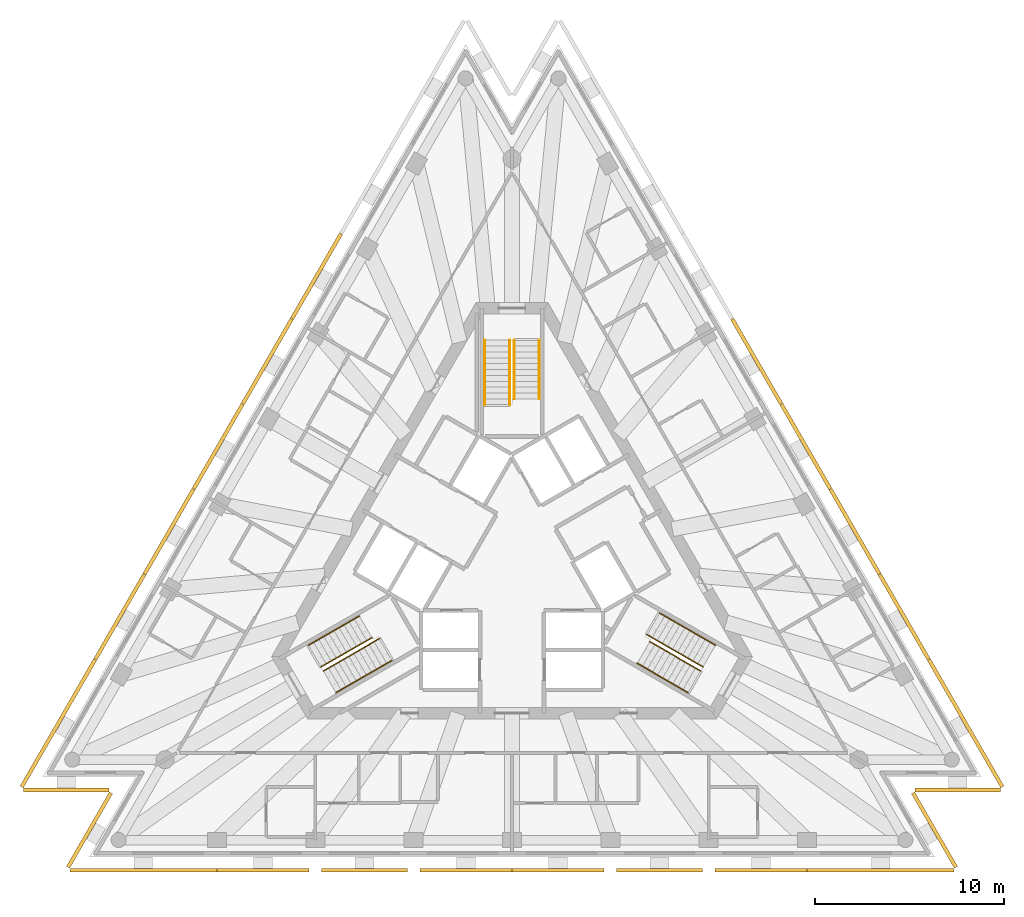
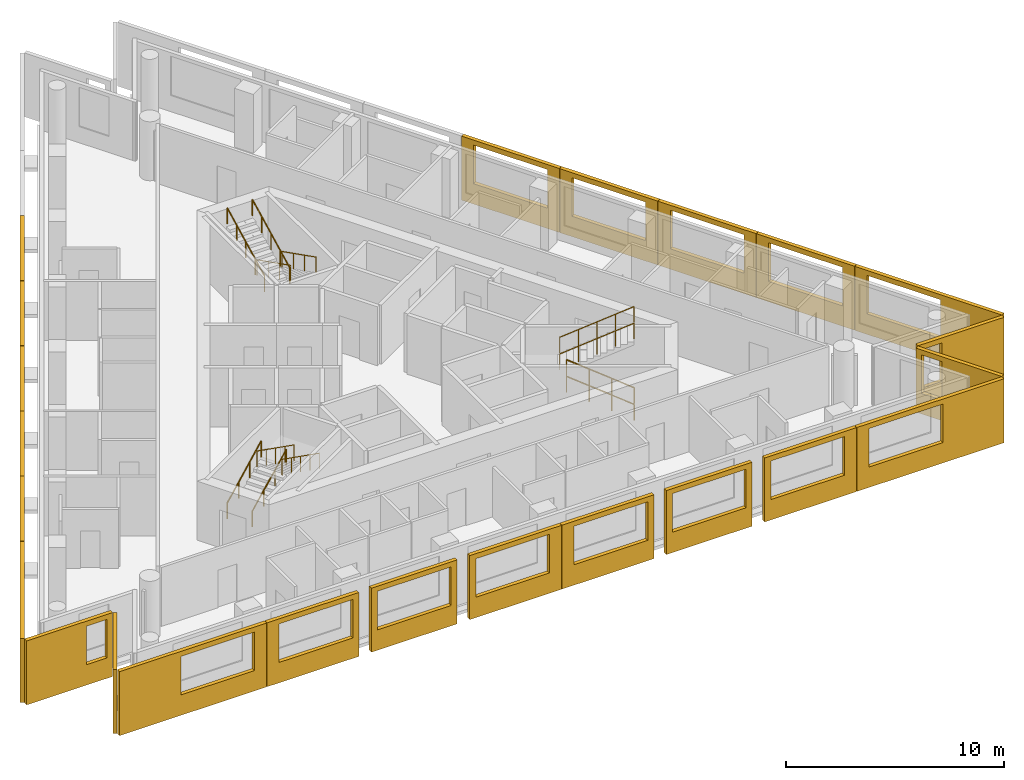
# One storey, part 9 of 10: 23 shading devices, 12 railings, 3 elements without a shape of their own.
"""IFC4 building model written with IfcOpenShell, lengths in metres."""

import ifcopenshell
import ifcopenshell.guid

model = None  # the IFC model being written
_history = None  # IfcOwnerHistory: only IFC2X3 demands one
_inside = {}  # id of a spatial element -> (the spatial element, [elements in it])
_under = {}  # id of a project, library or spatial element -> (it, [spatial elements below it])
_declared = {}  # id of a project -> (the project, [libraries it declares])
_typed = {}  # id of a type object -> (the type object, [elements of that type])
_made_of = {}  # id of a material, layer set ... -> (it, [elements and type objects made of it])


def new_model(schema):
    """Start an empty IFC model of exactly this schema.

    Asked for "IFC4X3", IfcOpenShell would pick the latest addendum, in which some entities
    have other attributes; the version numbers below select the first issue.
    IFC2X3 requires an IfcOwnerHistory on every rooted entity: one is made here for all.
    """
    global model, _history
    if schema == "IFC4X3":
        model = ifcopenshell.file(schema_version=(4, 3, 0, 0))
    else:
        model = ifcopenshell.file(schema=schema)
    _inside.clear()
    _under.clear()
    _declared.clear()
    _typed.clear()
    _made_of.clear()
    _history = None
    if model.schema == "IFC2X3":
        org = make("IfcOrganization", Name="unknown")
        user = make(
            "IfcPersonAndOrganization",
            ThePerson=make("IfcPerson", FamilyName="unknown"),
            TheOrganization=org,
        )
        app = make(
            "IfcApplication",
            ApplicationDeveloper=org,
            Version="unknown",
            ApplicationFullName="unknown",
            ApplicationIdentifier="unknown",
        )
        _history = make(
            "IfcOwnerHistory",
            OwningUser=user,
            OwningApplication=app,
            ChangeAction="ADDED",
            CreationDate=0,
        )
    return model


def make(cls, **values):
    """One entity of the class cls with the attributes given. An attribute that is None is left unset."""
    return model.create_entity(
        cls, **{name: value for name, value in values.items() if value is not None}
    )


def rooted(cls, **values):
    """An entity with a GlobalId (a new one), such as an element, a storey or a relation."""
    return make(cls, GlobalId=ifcopenshell.guid.new(), OwnerHistory=_history, **values)


def si_unit(unit_type, name, prefix=None):
    """IfcSIUnit, for example si_unit("LENGTHUNIT", "METRE", prefix="MILLI")."""
    return make("IfcSIUnit", UnitType=unit_type, Prefix=prefix, Name=name)


def assignment(units):
    """IfcUnitAssignment: the units of a project."""
    return None if units is None else make("IfcUnitAssignment", Units=units)


def point(xyz):
    """IfcCartesianPoint."""
    return None if xyz is None else make("IfcCartesianPoint", Coordinates=xyz)


def direction(xyz):
    """IfcDirection."""
    return None if xyz is None else make("IfcDirection", DirectionRatios=xyz)


def frame(location, z_axis=None, x_axis=None):
    """IfcAxis2Placement3D, a coordinate frame: its origin and axes. An axis left out is left unset."""
    return make(
        "IfcAxis2Placement3D",
        Location=point(location),
        Axis=direction(z_axis),
        RefDirection=direction(x_axis),
    )


def frame_2d(location, x_axis=None):
    """IfcAxis2Placement2D, a coordinate frame in the plane: its origin and x axis."""
    return make(
        "IfcAxis2Placement2D", Location=point(location), RefDirection=direction(x_axis)
    )


def origin():
    """The frame at (0, 0, 0) with its axes left unset."""
    return frame((0.0, 0.0, 0.0))


def origin_2d():
    """The frame at (0, 0) in the plane with its x axis left unset."""
    return frame_2d((0.0, 0.0))


def place(relative_to, where):
    """IfcLocalPlacement: puts the frame where relative to a parent placement (None: the world)."""
    return make(
        "IfcLocalPlacement", PlacementRelTo=relative_to, RelativePlacement=where
    )


def context(
    kind, dimensions, precision=None, world=None, true_north=None, identifier=None
):
    """IfcGeometricRepresentationContext, for example the 3D "Model" context."""
    return make(
        "IfcGeometricRepresentationContext",
        ContextIdentifier=identifier,
        ContextType=kind,
        CoordinateSpaceDimension=dimensions,
        Precision=precision,
        WorldCoordinateSystem=world,
        TrueNorth=true_north,
    )


def subcontext(parent, identifier, kind, view, scale=None):
    """IfcGeometricRepresentationSubContext, for example "Body" below "Model"."""
    return make(
        "IfcGeometricRepresentationSubContext",
        ContextIdentifier=identifier,
        ContextType=kind,
        ParentContext=parent,
        TargetScale=scale,
        TargetView=view,
    )


def project(units=None, contexts=None):
    """IfcProject with its units and contexts."""
    return rooted(
        "IfcProject",
        Name="project",
        RepresentationContexts=contexts,
        UnitsInContext=assignment(units),
    )


def spatial(cls, under=None, at=None, **own):
    """A site, building, storey or space (cls), placed at a placement, below another one or the project."""
    s = rooted(cls, ObjectPlacement=at, **own)
    if under is not None:
        _under.setdefault(under.id(), (under, []))[1].append(s)
    return s


def polyline(points):
    """IfcPolyline through the points."""
    return make("IfcPolyline", Points=[point(p) for p in points])


def profile(cls, at=None, kind="AREA", **sizes):
    """A parametric profile (cls). Its sizes go by their IFC names, for example OverallWidth=200.0."""
    return make(cls, ProfileType=kind, Position=at, **sizes)


def circle(**sizes):
    """IfcCircleProfileDef."""
    return profile("IfcCircleProfileDef", **sizes)


def outline(outer, holes=None, kind="AREA"):
    """IfcArbitraryClosedProfileDef: a profile drawn as a closed curve; with holes, ...WithVoids."""
    if holes is None:
        return make("IfcArbitraryClosedProfileDef", ProfileType=kind, OuterCurve=outer)
    return make(
        "IfcArbitraryProfileDefWithVoids",
        ProfileType=kind,
        OuterCurve=outer,
        InnerCurves=holes,
    )


def extrude(swept, where, along, depth):
    """IfcExtrudedAreaSolid: the profile swept, set in the frame where, extruded along a direction by depth."""
    return make(
        "IfcExtrudedAreaSolid",
        SweptArea=swept,
        Position=where,
        ExtrudedDirection=direction(along),
        Depth=depth,
    )


def shape(context_of_items, identifier, shape_type, items):
    """IfcShapeRepresentation: the items that make up one representation, for example the "Body"."""
    return make(
        "IfcShapeRepresentation",
        ContextOfItems=context_of_items,
        RepresentationIdentifier=identifier,
        RepresentationType=shape_type,
        Items=items,
    )


def material(Name=None, Category=None):
    """IfcMaterial."""
    return make("IfcMaterial", Name=Name, Category=Category)


def layer(
    of_material, thickness, ventilated=None, Name=None, Category=None, Priority=None
):
    """IfcMaterialLayer: one layer of a wall or slab, of a material (None: an air gap)."""
    return make(
        "IfcMaterialLayer",
        Material=of_material,
        LayerThickness=thickness,
        IsVentilated=ventilated,
        Name=Name,
        Category=Category,
        Priority=Priority,
    )


def layer_set(layers, Name=None):
    """IfcMaterialLayerSet."""
    return make("IfcMaterialLayerSet", MaterialLayers=layers, LayerSetName=Name)


def made_of(thing, what):
    """Note that an element or type object is made of a material, layer set ...; save() writes the relation."""
    if what is not None:
        _made_of.setdefault(what.id(), (what, []))[1].append(thing)
    return thing


def type_object(cls, material=None, **own):
    """A type object (cls), such as IfcWallType, which elements share."""
    return made_of(rooted(cls, **own), material)


def element(
    cls,
    number,
    at=None,
    inside=None,
    cuts=None,
    type_object=None,
    material=None,
    context=None,
    identifier="Body",
    shape_type=None,
    held_by="IfcProductDefinitionShape",
    body=None,
    shapes=None,
    **own,
):
    """One element of the class cls, such as IfcWall. Its Tag is "e" and its number.

    at: its placement. inside: the storey or other place that contains it. cuts: it is an
    opening in that element (IfcRelVoidsElement). A single representation is given by context,
    identifier, shape_type and body (its items); several are given by shapes. held_by: the class
    of the entity that holds the representations. save() writes the other relations.
    """
    e = rooted(cls, Tag="e%d" % number, ObjectPlacement=at, **own)
    if body is not None:
        shapes = [shape(context, identifier, shape_type, body)]
    if shapes is not None:
        e.Representation = make(held_by, Representations=shapes)
    if inside is not None:
        _inside.setdefault(inside.id(), (inside, []))[1].append(e)
    if cuts is not None:
        rooted(
            "IfcRelVoidsElement", RelatingBuildingElement=cuts, RelatedOpeningElement=e
        )
    if type_object is not None:
        _typed.setdefault(type_object.id(), (type_object, []))[1].append(e)
    return made_of(e, material)


def aggregate(whole, parts):
    """IfcRelAggregates: a whole, such as a stair, and the parts it consists of."""
    return rooted("IfcRelAggregates", RelatingObject=whole, RelatedObjects=parts)


def save(model, path):
    """Write the relations noted so far, then the file.

    IfcRelAggregates (storeys below a building ...), IfcRelContainedInSpatialStructure (elements
    in a storey), IfcRelDefinesByType, IfcRelAssociatesMaterial and IfcRelDeclares: one each for
    every whole, place, type object, material and project.
    """
    for whole, parts in _under.values():
        aggregate(whole, parts)
    for where, things in _inside.values():
        rooted(
            "IfcRelContainedInSpatialStructure",
            RelatedElements=things,
            RelatingStructure=where,
        )
    for kind, things in _typed.values():
        rooted("IfcRelDefinesByType", RelatedObjects=things, RelatingType=kind)
    for what, things in _made_of.values():
        rooted("IfcRelAssociatesMaterial", RelatedObjects=things, RelatingMaterial=what)
    for by, libraries in _declared.values():
        rooted("IfcRelDeclares", RelatingContext=by, RelatedDefinitions=libraries)
    model.write(path)


model = new_model("IFC4")

# Units and contexts
model_context = context("Model", 3, precision=1e-05, world=origin(), true_north=direction((0.0, 1.0)))
body_context = subcontext(model_context, "Body", "Model", "MODEL_VIEW")
ifc_project = project(units=[si_unit("LENGTHUNIT", "METRE"), si_unit("AREAUNIT", "SQUARE_METRE"), si_unit("VOLUMEUNIT", "CUBIC_METRE"), si_unit("PLANEANGLEUNIT", "RADIAN"), si_unit("MASSUNIT", "GRAM", prefix="KILO")], contexts=[model_context])

# Site, building, storey
site_placement = place(None, origin())
site = spatial("IfcSite", under=ifc_project, at=site_placement, CompositionType="ELEMENT")
building_placement = place(site_placement, origin())
building = spatial("IfcBuilding", under=site, at=building_placement, Name="Triada Interchange Tower", CompositionType="ELEMENT")
storey_placement = place(building_placement, frame((0.0, 0.0, 311.5)))
storey = spatial("IfcBuildingStorey", under=building, at=storey_placement, Name="L74", CompositionType="ELEMENT", Elevation=311.5)

# Shading devices
ifc_material_1 = material(Name="Concrete C50/60 precast", Category="concrete")
ifc_layer_1 = layer(ifc_material_1, 0.02001953125, Name="Exposed aggregate face")
ifc_layer_2 = layer(ifc_material_1, 0.179931640625, Name="Precast concrete screen")
ifc_layer_set = layer_set([ifc_layer_1, ifc_layer_2], Name="Outer skin screen panel 3580")
shading_device_type = type_object("IfcShadingDeviceType", Name="Outer skin screen panel 3580", PredefinedType="SHUTTER", material=ifc_layer_set)
shading_device_1_placement = place(storey_placement, frame((-8.968017578125, 17.19189453125, -0.2900390625), z_axis=(0.0, 0.0, 1.0), x_axis=(-0.500082331196, -0.865977864628, 0.0)))
element("IfcShadingDevice", 1, at=shading_device_1_placement, inside=storey, type_object=shading_device_type, Name="Outer skin screen panel L74 03", PredefinedType="SHUTTER", context=body_context, shape_type="SweptSolid", body=[
    extrude(outline(polyline([(0.0, 0.0), (5.187255859375, 0.0), (5.187255859375, 3.580078125), (0.0, 3.580078125), (0.0, 0.0)]), holes=[polyline([(0.64404296875, 1.139892578125), (0.64404296875, 3.300048828125), (4.5439453125, 3.300048828125), (4.5439453125, 1.139892578125), (0.64404296875, 1.139892578125)])]), frame((0.0, 0.0, 0.0), z_axis=(0.0, -1.0, 0.0), x_axis=(1.0, 0.0, 0.0)), (0.0, 0.0, 1.0), 0.199951171875),
])
shading_device_2_placement = place(storey_placement, frame((-11.572021484375, 12.681884765625, -0.2900390625), z_axis=(0.0, 0.0, 1.0), x_axis=(-0.500082331196, -0.865977864628, 0.0)))
element("IfcShadingDevice", 2, at=shading_device_2_placement, inside=storey, type_object=shading_device_type, Name="Outer skin screen panel L74 04", PredefinedType="SHUTTER", context=body_context, shape_type="SweptSolid", body=[
    extrude(outline(polyline([(0.0, 0.0), (5.187255859375, 0.0), (5.187255859375, 3.580078125), (0.0, 3.580078125), (0.0, 0.0)]), holes=[polyline([(0.643798828125, 1.139892578125), (0.643798828125, 3.300048828125), (4.543701171875, 3.300048828125), (4.543701171875, 1.139892578125), (0.643798828125, 1.139892578125)])]), frame((0.0, 0.0, 0.0), z_axis=(0.0, -1.0, 0.0), x_axis=(1.0, 0.0, 0.0)), (0.0, 0.0, 1.0), 0.199951171875),
])
shading_device_3_placement = place(storey_placement, frame((-14.176025390625, 8.173095703125, -0.2900390625), z_axis=(0.0, 0.0, 1.0), x_axis=(-0.499920746991, -0.866071155695, 0.0)))
element("IfcShadingDevice", 3, at=shading_device_3_placement, inside=storey, type_object=shading_device_type, Name="Outer skin screen panel L74 05", PredefinedType="SHUTTER", context=body_context, shape_type="SweptSolid", body=[
    extrude(outline(polyline([(0.0, 0.0), (5.186767578125, 0.0), (5.186767578125, 3.580078125), (0.0, 3.580078125), (0.0, 0.0)]), holes=[polyline([(0.6435546875, 1.139892578125), (0.6435546875, 3.300048828125), (4.54345703125, 3.300048828125), (4.54345703125, 1.139892578125), (0.6435546875, 1.139892578125)])]), frame((0.0, 0.0, 0.0), z_axis=(0.0, -1.0, 0.0), x_axis=(1.0, 0.0, 0.0)), (0.0, 0.0, 1.0), 0.199951171875),
])
shading_device_4_placement = place(storey_placement, frame((-16.779052734375, 3.6630859375, -0.2900390625), z_axis=(0.0, 0.0, 1.0), x_axis=(-0.500061949227, -0.865989634427, 0.0)))
element("IfcShadingDevice", 4, at=shading_device_4_placement, inside=storey, type_object=shading_device_type, Name="Outer skin screen panel L74 06", PredefinedType="SHUTTER", context=body_context, shape_type="SweptSolid", body=[
    extrude(outline(polyline([(0.0, 0.0), (5.187255859375, 0.0), (5.187255859375, 3.580078125), (0.0, 3.580078125), (0.0, 0.0)]), holes=[polyline([(0.643310546875, 1.139892578125), (0.643310546875, 3.300048828125), (4.543212890625, 3.300048828125), (4.543212890625, 1.139892578125), (0.643310546875, 1.139892578125)])]), frame((0.0, 0.0, 0.0), z_axis=(0.0, -1.0, 0.0), x_axis=(1.0, 0.0, 0.0)), (0.0, 0.0, 1.0), 0.199951171875),
])
shading_device_5_placement = place(storey_placement, frame((-19.383056640625, -0.845947265625, -0.2900390625), z_axis=(0.0, 0.0, 1.0), x_axis=(-0.499980435197, -0.866036699234, 0.0)))
element("IfcShadingDevice", 5, at=shading_device_5_placement, inside=storey, type_object=shading_device_type, Name="Outer skin screen panel L74 07", PredefinedType="SHUTTER", context=body_context, shape_type="SweptSolid", body=[
    extrude(outline(polyline([(0.0, 0.0), (5.188232421875, 0.0), (5.188232421875, 3.580078125), (0.0, 3.580078125), (0.0, 0.0)]), holes=[polyline([(0.643798828125, 1.139892578125), (0.643798828125, 3.300048828125), (4.5439453125, 3.300048828125), (4.5439453125, 1.139892578125), (0.643798828125, 1.139892578125)])]), frame((0.0, 0.0, 0.0), z_axis=(0.0, -1.0, 0.0), x_axis=(1.0, 0.0, 0.0)), (0.0, 0.0, 1.0), 0.199951171875),
])
shading_device_6_placement = place(storey_placement, frame((-21.987060546875, -5.35595703125, -0.2900390625), z_axis=(0.0, 0.0, 1.0), x_axis=(-0.499940544041, -0.866059727977, 0.0)))
element("IfcShadingDevice", 6, at=shading_device_6_placement, inside=storey, type_object=shading_device_type, Name="Outer skin screen panel L74 08", PredefinedType="SHUTTER", context=body_context, shape_type="SweptSolid", body=[
    extrude(outline(polyline([(0.0, 0.0), (7.78466796875, 0.0), (7.78466796875, 3.580078125), (0.0, 3.580078125), (0.0, 0.0)]), holes=[polyline([(0.643798828125, 1.139892578125), (0.643798828125, 3.300048828125), (4.543701171875, 3.300048828125), (4.543701171875, 1.139892578125), (0.643798828125, 1.139892578125)])]), frame((0.0, 0.0, 0.0), z_axis=(0.0, -1.0, 0.0), x_axis=(1.0, 0.0, 0.0)), (0.0, 0.0, 1.0), 0.199951171875),
])
shading_device_7_placement = place(storey_placement, frame((-25.8740234375, -12.10693359375, -0.2900390625), z_axis=(0.0, 0.0, 1.0), x_axis=(1.0, 0.0, 0.0)))
element("IfcShadingDevice", 7, at=shading_device_7_placement, inside=storey, type_object=shading_device_type, Name="Outer skin screen panel L74 09", PredefinedType="SHUTTER", context=body_context, shape_type="SweptSolid", body=[
    extrude(outline(polyline([(0.0, 0.0), (4.547119140625, 0.0), (4.547119140625, 3.580078125), (0.0, 3.580078125), (0.0, 0.0)]), holes=[polyline([(3.175048828125, 1.139892578125), (3.175048828125, 3.300048828125), (4.2470703125, 3.300048828125), (4.2470703125, 1.139892578125), (3.175048828125, 1.139892578125)])]), frame((0.0, 0.0, 0.0), z_axis=(0.0, -1.0, 0.0), x_axis=(1.0, 0.0, 0.0)), (0.0, 0.0, 1.0), 0.199951171875),
])
shading_device_8_placement = place(storey_placement, frame((-21.14794921875, -12.416015625, -0.2900390625), z_axis=(0.0, 0.0, 1.0), x_axis=(-0.500094224052, -0.865970996668, 0.0)))
element("IfcShadingDevice", 8, at=shading_device_8_placement, inside=storey, type_object=shading_device_type, Name="Outer skin screen panel L74 10", PredefinedType="SHUTTER", context=body_context, shape_type="SweptSolid", body=[
    extrude(outline(polyline([(0.0, 0.0), (4.54736328125, 0.0), (4.54736328125, 3.580078125), (0.0, 3.580078125), (0.0, 0.0)]), holes=[polyline([(0.300048828125, 1.139892578125), (0.300048828125, 3.300048828125), (1.258056640625, 3.300048828125), (1.258056640625, 1.139892578125), (0.300048828125, 1.139892578125)])]), frame((0.0, 0.0, 0.0), z_axis=(0.0, -1.0, 0.0), x_axis=(1.0, 0.0, 0.0)), (0.0, 0.0, 1.0), 0.199951171875),
])
shading_device_9_placement = place(storey_placement, frame((-23.4169921875, -16.363037109375, -0.2900390625), z_axis=(0.0, 0.0, 1.0), x_axis=(1.0, 0.0, 0.0)))
element("IfcShadingDevice", 9, at=shading_device_9_placement, inside=storey, type_object=shading_device_type, Name="Outer skin screen panel L74 11", PredefinedType="SHUTTER", context=body_context, shape_type="SweptSolid", body=[
    extrude(outline(polyline([(0.0, 0.0), (7.784912109375, 0.0), (7.784912109375, 3.580078125), (0.0, 3.580078125), (0.0, 0.0)]), holes=[polyline([(3.241943359375, 1.139892578125), (3.241943359375, 3.300048828125), (7.14208984375, 3.300048828125), (7.14208984375, 1.139892578125), (3.241943359375, 1.139892578125)])]), frame((0.0, 0.0, 0.0), z_axis=(0.0, -1.0, 0.0), x_axis=(1.0, 0.0, 0.0)), (0.0, 0.0, 1.0), 0.199951171875),
])
shading_device_10_placement = place(storey_placement, frame((-15.612060546875, -16.363037109375, -0.2900390625), z_axis=(0.0, 0.0, 1.0), x_axis=(1.0, 0.0, 0.0)))
element("IfcShadingDevice", 10, at=shading_device_10_placement, inside=storey, type_object=shading_device_type, Name="Outer skin screen panel L74 12", PredefinedType="SHUTTER", context=body_context, shape_type="SweptSolid", body=[
    extrude(outline(polyline([(0.0, 0.0), (4.864013671875, 0.0), (4.864013671875, 3.580078125), (0.0, 3.580078125), (0.0, 0.0)]), holes=[polyline([(0.643798828125, 1.139892578125), (0.643798828125, 3.300048828125), (4.543701171875, 3.300048828125), (4.543701171875, 1.139892578125), (0.643798828125, 1.139892578125)])]), frame((0.0, 0.0, 0.0), z_axis=(0.0, -1.0, 0.0), x_axis=(1.0, 0.0, 0.0)), (0.0, 0.0, 1.0), 0.199951171875),
])
shading_device_11_placement = place(storey_placement, frame((-10.080078125, -16.363037109375, -0.2900390625), z_axis=(0.0, 0.0, 1.0), x_axis=(1.0, 0.0, 0.0)))
element("IfcShadingDevice", 11, at=shading_device_11_placement, inside=storey, type_object=shading_device_type, Name="Outer skin screen panel L74 13", PredefinedType="SHUTTER", context=body_context, shape_type="SweptSolid", body=[
    extrude(outline(polyline([(0.0, 0.0), (4.5390625, 0.0), (4.5390625, 3.580078125), (0.0, 3.580078125), (0.0, 0.0)]), holes=[polyline([(0.319091796875, 1.139892578125), (0.319091796875, 3.300048828125), (4.218994140625, 3.300048828125), (4.218994140625, 1.139892578125), (0.319091796875, 1.139892578125)])]), frame((0.0, 0.0, 0.0), z_axis=(0.0, -1.0, 0.0), x_axis=(1.0, 0.0, 0.0)), (0.0, 0.0, 1.0), 0.199951171875),
])
shading_device_12_placement = place(storey_placement, frame((-4.873046875, -16.363037109375, -0.2900390625), z_axis=(0.0, 0.0, 1.0), x_axis=(1.0, 0.0, 0.0)))
element("IfcShadingDevice", 12, at=shading_device_12_placement, inside=storey, type_object=shading_device_type, Name="Outer skin screen panel L74 14", PredefinedType="SHUTTER", context=body_context, shape_type="SweptSolid", body=[
    extrude(outline(polyline([(0.0, 0.0), (4.863037109375, 0.0), (4.863037109375, 3.580078125), (0.0, 3.580078125), (0.0, 0.0)]), holes=[polyline([(0.319091796875, 1.139892578125), (0.319091796875, 3.300048828125), (4.218994140625, 3.300048828125), (4.218994140625, 1.139892578125), (0.319091796875, 1.139892578125)])]), frame((0.0, 0.0, 0.0), z_axis=(0.0, -1.0, 0.0), x_axis=(1.0, 0.0, 0.0)), (0.0, 0.0, 1.0), 0.199951171875),
])
shading_device_13_placement = place(storey_placement, frame((0.010009765625, -16.363037109375, -0.2900390625), z_axis=(0.0, 0.0, 1.0), x_axis=(1.0, 0.0, 0.0)))
element("IfcShadingDevice", 13, at=shading_device_13_placement, inside=storey, type_object=shading_device_type, Name="Outer skin screen panel L74 15", PredefinedType="SHUTTER", context=body_context, shape_type="SweptSolid", body=[
    extrude(outline(polyline([(0.0, 0.0), (4.863037109375, 0.0), (4.863037109375, 3.580078125), (0.0, 3.580078125), (0.0, 0.0)]), holes=[polyline([(0.64404296875, 1.139892578125), (0.64404296875, 3.300048828125), (4.5439453125, 3.300048828125), (4.5439453125, 1.139892578125), (0.64404296875, 1.139892578125)])]), frame((0.0, 0.0, 0.0), z_axis=(0.0, -1.0, 0.0), x_axis=(1.0, 0.0, 0.0)), (0.0, 0.0, 1.0), 0.199951171875),
])
shading_device_14_placement = place(storey_placement, frame((5.541015625, -16.363037109375, -0.2900390625), z_axis=(0.0, 0.0, 1.0), x_axis=(1.0, 0.0, 0.0)))
element("IfcShadingDevice", 14, at=shading_device_14_placement, inside=storey, type_object=shading_device_type, Name="Outer skin screen panel L74 16", PredefinedType="SHUTTER", context=body_context, shape_type="SweptSolid", body=[
    extrude(outline(polyline([(0.0, 0.0), (4.5390625, 0.0), (4.5390625, 3.580078125), (0.0, 3.580078125), (0.0, 0.0)]), holes=[polyline([(0.320068359375, 1.139892578125), (0.320068359375, 3.300048828125), (4.219970703125, 3.300048828125), (4.219970703125, 1.139892578125), (0.320068359375, 1.139892578125)])]), frame((0.0, 0.0, 0.0), z_axis=(0.0, -1.0, 0.0), x_axis=(1.0, 0.0, 0.0)), (0.0, 0.0, 1.0), 0.199951171875),
])
shading_device_15_placement = place(storey_placement, frame((10.748046875, -16.363037109375, -0.2900390625), z_axis=(0.0, 0.0, 1.0), x_axis=(1.0, 0.0, 0.0)))
element("IfcShadingDevice", 15, at=shading_device_15_placement, inside=storey, type_object=shading_device_type, Name="Outer skin screen panel L74 17", PredefinedType="SHUTTER", context=body_context, shape_type="SweptSolid", body=[
    extrude(outline(polyline([(0.0, 0.0), (4.864013671875, 0.0), (4.864013671875, 3.580078125), (0.0, 3.580078125), (0.0, 0.0)]), holes=[polyline([(0.320068359375, 1.139892578125), (0.320068359375, 3.300048828125), (4.219970703125, 3.300048828125), (4.219970703125, 1.139892578125), (0.320068359375, 1.139892578125)])]), frame((0.0, 0.0, 0.0), z_axis=(0.0, -1.0, 0.0), x_axis=(1.0, 0.0, 0.0)), (0.0, 0.0, 1.0), 0.199951171875),
])
shading_device_16_placement = place(storey_placement, frame((15.632080078125, -16.363037109375, -0.2900390625), z_axis=(0.0, 0.0, 1.0), x_axis=(1.0, 0.0, 0.0)))
element("IfcShadingDevice", 16, at=shading_device_16_placement, inside=storey, type_object=shading_device_type, Name="Outer skin screen panel L74 18", PredefinedType="SHUTTER", context=body_context, shape_type="SweptSolid", body=[
    extrude(outline(polyline([(0.0, 0.0), (7.784912109375, 0.0), (7.784912109375, 3.580078125), (0.0, 3.580078125), (0.0, 0.0)]), holes=[polyline([(0.643310546875, 1.139892578125), (0.643310546875, 3.300048828125), (4.543212890625, 3.300048828125), (4.543212890625, 1.139892578125), (0.643310546875, 1.139892578125)])]), frame((0.0, 0.0, 0.0), z_axis=(0.0, -1.0, 0.0), x_axis=(1.0, 0.0, 0.0)), (0.0, 0.0, 1.0), 0.199951171875),
])
shading_device_17_placement = place(storey_placement, frame((23.422119140625, -16.35400390625, -0.2900390625), z_axis=(0.0, 0.0, 1.0), x_axis=(-0.500094224052, 0.865970996668, 0.0)))
element("IfcShadingDevice", 17, at=shading_device_17_placement, inside=storey, type_object=shading_device_type, Name="Outer skin screen panel L74 19", PredefinedType="SHUTTER", context=body_context, shape_type="SweptSolid", body=[
    extrude(outline(polyline([(0.0, 0.0), (4.54736328125, 0.0), (4.54736328125, 3.580078125), (0.0, 3.580078125), (0.0, 0.0)]), holes=[polyline([(3.17529296875, 1.139892578125), (3.17529296875, 3.300048828125), (4.24755859375, 3.300048828125), (4.24755859375, 1.139892578125), (3.17529296875, 1.139892578125)])]), frame((0.0, 0.0, 0.0), z_axis=(0.0, -1.0, 0.0), x_axis=(1.0, 0.0, 0.0)), (0.0, 0.0, 1.0), 0.199951171875),
])
shading_device_18_placement = place(storey_placement, frame((21.326904296875, -12.10693359375, -0.2900390625), z_axis=(0.0, 0.0, 1.0), x_axis=(1.0, 0.0, 0.0)))
element("IfcShadingDevice", 18, at=shading_device_18_placement, inside=storey, type_object=shading_device_type, Name="Outer skin screen panel L74 20", PredefinedType="SHUTTER", context=body_context, shape_type="SweptSolid", body=[
    extrude(outline(polyline([(0.0, 0.0), (4.547119140625, 0.0), (4.547119140625, 3.580078125), (0.0, 3.580078125), (0.0, 0.0)]), holes=[polyline([(0.300048828125, 1.139892578125), (0.300048828125, 3.300048828125), (1.258056640625, 3.300048828125), (1.258056640625, 1.139892578125), (0.300048828125, 1.139892578125)])]), frame((0.0, 0.0, 0.0), z_axis=(0.0, -1.0, 0.0), x_axis=(1.0, 0.0, 0.0)), (0.0, 0.0, 1.0), 0.199951171875),
])
shading_device_19_placement = place(storey_placement, frame((25.87890625, -12.097900390625, -0.2900390625), z_axis=(0.0, 0.0, 1.0), x_axis=(-0.499940544041, 0.866059727977, 0.0)))
element("IfcShadingDevice", 19, at=shading_device_19_placement, inside=storey, type_object=shading_device_type, Name="Outer skin screen panel L74 21", PredefinedType="SHUTTER", context=body_context, shape_type="SweptSolid", body=[
    extrude(outline(polyline([(0.0, 0.0), (7.78466796875, 0.0), (7.78466796875, 3.580078125), (0.0, 3.580078125), (0.0, 0.0)]), holes=[polyline([(3.2412109375, 1.139892578125), (3.2412109375, 3.300048828125), (7.141357421875, 3.300048828125), (7.141357421875, 1.139892578125), (3.2412109375, 1.139892578125)])]), frame((0.0, 0.0, 0.0), z_axis=(0.0, -1.0, 0.0), x_axis=(1.0, 0.0, 0.0)), (0.0, 0.0, 1.0), 0.199951171875),
])
shading_device_20_placement = place(storey_placement, frame((21.97705078125, -5.339111328125, -0.2900390625), z_axis=(0.0, 0.0, 1.0), x_axis=(-0.499980435197, 0.866036699234, 0.0)))
element("IfcShadingDevice", 20, at=shading_device_20_placement, inside=storey, type_object=shading_device_type, Name="Outer skin screen panel L74 22", PredefinedType="SHUTTER", context=body_context, shape_type="SweptSolid", body=[
    extrude(outline(polyline([(0.0, 0.0), (5.188232421875, 0.0), (5.188232421875, 3.580078125), (0.0, 3.580078125), (0.0, 0.0)]), holes=[polyline([(0.64404296875, 1.139892578125), (0.64404296875, 3.300048828125), (4.5439453125, 3.300048828125), (4.5439453125, 1.139892578125), (0.64404296875, 1.139892578125)])]), frame((0.0, 0.0, 0.0), z_axis=(0.0, -1.0, 0.0), x_axis=(1.0, 0.0, 0.0)), (0.0, 0.0, 1.0), 0.199951171875),
])
shading_device_21_placement = place(storey_placement, frame((19.373046875, -0.8291015625, -0.2900390625), z_axis=(0.0, 0.0, 1.0), x_axis=(-0.500061949227, 0.865989634427, 0.0)))
element("IfcShadingDevice", 21, at=shading_device_21_placement, inside=storey, type_object=shading_device_type, Name="Outer skin screen panel L74 23", PredefinedType="SHUTTER", context=body_context, shape_type="SweptSolid", body=[
    extrude(outline(polyline([(0.0, 0.0), (5.187255859375, 0.0), (5.187255859375, 3.580078125), (0.0, 3.580078125), (0.0, 0.0)]), holes=[polyline([(0.643798828125, 1.139892578125), (0.643798828125, 3.300048828125), (4.543701171875, 3.300048828125), (4.543701171875, 1.139892578125), (0.643798828125, 1.139892578125)])]), frame((0.0, 0.0, 0.0), z_axis=(0.0, -1.0, 0.0), x_axis=(1.0, 0.0, 0.0)), (0.0, 0.0, 1.0), 0.199951171875),
])
shading_device_22_placement = place(storey_placement, frame((16.76904296875, 3.680908203125, -0.2900390625), z_axis=(0.0, 0.0, 1.0), x_axis=(-0.499920746991, 0.866071155695, 0.0)))
element("IfcShadingDevice", 22, at=shading_device_22_placement, inside=storey, type_object=shading_device_type, Name="Outer skin screen panel L74 24", PredefinedType="SHUTTER", context=body_context, shape_type="SweptSolid", body=[
    extrude(outline(polyline([(0.0, 0.0), (5.186767578125, 0.0), (5.186767578125, 3.580078125), (0.0, 3.580078125), (0.0, 0.0)]), holes=[polyline([(0.643310546875, 1.139892578125), (0.643310546875, 3.300048828125), (4.54345703125, 3.300048828125), (4.54345703125, 1.139892578125), (0.643310546875, 1.139892578125)])]), frame((0.0, 0.0, 0.0), z_axis=(0.0, -1.0, 0.0), x_axis=(1.0, 0.0, 0.0)), (0.0, 0.0, 1.0), 0.199951171875),
])
shading_device_23_placement = place(storey_placement, frame((14.166015625, 8.18994140625, -0.2900390625), z_axis=(0.0, 0.0, 1.0), x_axis=(-0.500082331196, 0.865977864628, 0.0)))
element("IfcShadingDevice", 23, at=shading_device_23_placement, inside=storey, type_object=shading_device_type, Name="Outer skin screen panel L74 25", PredefinedType="SHUTTER", context=body_context, shape_type="SweptSolid", body=[
    extrude(outline(polyline([(0.0, 0.0), (5.187255859375, 0.0), (5.187255859375, 3.580078125), (0.0, 3.580078125), (0.0, 0.0)]), holes=[polyline([(0.643310546875, 1.139892578125), (0.643310546875, 3.300048828125), (4.543212890625, 3.300048828125), (4.543212890625, 1.139892578125), (0.643310546875, 1.139892578125)])]), frame((0.0, 0.0, 0.0), z_axis=(0.0, -1.0, 0.0), x_axis=(1.0, 0.0, 0.0)), (0.0, 0.0, 1.0), 0.199951171875),
])

# Stair, railings
ifc_material_2 = material(Name="Concrete C35/45", Category="concrete")
stair_type = type_object("IfcStairType", Name="HALF TURN STAIR 1400", PredefinedType="HALF_TURN_STAIR", material=ifc_material_2)
stair_1_placement = place(storey_placement, origin())
stair_1 = element("IfcStair", 24, at=stair_1_placement, inside=storey, type_object=stair_type, Name="Exit stair S74-1", PredefinedType="HALF_TURN_STAIR")
ifc_material_3 = material(Name="Stainless steel 1.4301", Category="steel")
railing_type = type_object("IfcRailingType", Name="STAIR HANDRAIL 900", PredefinedType="HANDRAIL", material=ifc_material_3)
railing_1_placement = place(storey_placement, frame((1.449951171875, 11.60009765625, 0.156494140625)))
railing_1 = element("IfcRailing", 25, at=railing_1_placement, type_object=railing_type, Name="Handrail S74-1 1W", PredefinedType="HANDRAIL", context=body_context, shape_type="SweptSolid", body=[
    extrude(circle(Radius=0.02392578125, at=origin_2d()), frame((0.0, 0.0, 0.8759765625), z_axis=(0.0, -0.89267693942, 0.450697106522), x_axis=(1.0, 0.0, 0.0)), (0.0, 0.0, 1.0), 3.472900390625),
    extrude(circle(Radius=0.02099609375, at=origin_2d()), origin(), (0.0, 0.0, 1.0), 0.851806640625),
    extrude(circle(Radius=0.02099609375, at=origin_2d()), frame((0.0, -1.033447265625, 0.521728515625)), (0.0, 0.0, 1.0), 0.851806640625),
    extrude(circle(Radius=0.02099609375, at=origin_2d()), frame((0.0, -2.066650390625, 1.04345703125)), (0.0, 0.0, 1.0), 0.851806640625),
    extrude(circle(Radius=0.02099609375, at=origin_2d()), frame((0.0, -3.10009765625, 1.565185546875)), (0.0, 0.0, 1.0), 0.851806640625),
])
railing_2_placement = place(storey_placement, frame((0.1201171875, 11.60009765625, 0.156494140625)))
railing_2 = element("IfcRailing", 26, at=railing_2_placement, type_object=railing_type, Name="Handrail S74-1 1C", PredefinedType="HANDRAIL", context=body_context, shape_type="SweptSolid", body=[
    extrude(circle(Radius=0.02392578125, at=origin_2d()), frame((0.0, 0.0, 0.8759765625), z_axis=(0.0, -0.89267693942, 0.450697106522), x_axis=(1.0, 0.0, 0.0)), (0.0, 0.0, 1.0), 3.472900390625),
    extrude(circle(Radius=0.02099609375, at=origin_2d()), origin(), (0.0, 0.0, 1.0), 0.851806640625),
    extrude(circle(Radius=0.02099609375, at=origin_2d()), frame((0.0, -1.033447265625, 0.521728515625)), (0.0, 0.0, 1.0), 0.851806640625),
    extrude(circle(Radius=0.02099609375, at=origin_2d()), frame((0.0, -2.066650390625, 1.04345703125)), (0.0, 0.0, 1.0), 0.851806640625),
    extrude(circle(Radius=0.02099609375, at=origin_2d()), frame((0.0, -3.10009765625, 1.565185546875)), (0.0, 0.0, 1.0), 0.851806640625),
])
railing_3_placement = place(storey_placement, frame((-1.449951171875, 8.18994140625, 1.878173828125)))
railing_3 = element("IfcRailing", 27, at=railing_3_placement, type_object=railing_type, Name="Handrail S74-1 2W", PredefinedType="HANDRAIL", context=body_context, shape_type="SweptSolid", body=[
    extrude(circle(Radius=0.02392578125, at=origin_2d()), frame((0.0, 0.0, 0.8759765625), z_axis=(0.0, 0.892682106939, 0.450686871287), x_axis=(-1.0, 0.0, 0.0)), (0.0, 0.0, 1.0), 3.820068359375),
    extrude(circle(Radius=0.02099609375, at=origin_2d()), origin(), (0.0, 0.0, 1.0), 0.851806640625),
    extrude(circle(Radius=0.02099609375, at=origin_2d()), frame((0.0, 0.8525390625, 0.430419921875)), (0.0, 0.0, 1.0), 0.851806640625),
    extrude(circle(Radius=0.02099609375, at=origin_2d()), frame((0.0, 1.705078125, 0.86083984375)), (0.0, 0.0, 1.0), 0.851806640625),
    extrude(circle(Radius=0.02099609375, at=origin_2d()), frame((0.0, 2.5576171875, 1.291259765625)), (0.0, 0.0, 1.0), 0.851806640625),
    extrude(circle(Radius=0.02099609375, at=origin_2d()), frame((0.0, 3.41015625, 1.7216796875)), (0.0, 0.0, 1.0), 0.851806640625),
])
railing_4_placement = place(storey_placement, frame((-0.1201171875, 8.18994140625, 1.878173828125)))
railing_4 = element("IfcRailing", 28, at=railing_4_placement, type_object=railing_type, Name="Handrail S74-1 2C", PredefinedType="HANDRAIL", context=body_context, shape_type="SweptSolid", body=[
    extrude(circle(Radius=0.02392578125, at=origin_2d()), frame((0.0, 0.0, 0.8759765625), z_axis=(0.0, 0.892682106939, 0.450686871287), x_axis=(-1.0, 0.0, 0.0)), (0.0, 0.0, 1.0), 3.820068359375),
    extrude(circle(Radius=0.02099609375, at=origin_2d()), origin(), (0.0, 0.0, 1.0), 0.851806640625),
    extrude(circle(Radius=0.02099609375, at=origin_2d()), frame((0.0, 0.8525390625, 0.430419921875)), (0.0, 0.0, 1.0), 0.851806640625),
    extrude(circle(Radius=0.02099609375, at=origin_2d()), frame((0.0, 1.705078125, 0.86083984375)), (0.0, 0.0, 1.0), 0.851806640625),
    extrude(circle(Radius=0.02099609375, at=origin_2d()), frame((0.0, 2.5576171875, 1.291259765625)), (0.0, 0.0, 1.0), 0.851806640625),
    extrude(circle(Radius=0.02099609375, at=origin_2d()), frame((0.0, 3.41015625, 1.7216796875)), (0.0, 0.0, 1.0), 0.851806640625),
])
aggregate(stair_1, [railing_1, railing_2, railing_3, railing_4])

stair_2_placement = place(storey_placement, origin())
stair_2 = element("IfcStair", 29, at=stair_2_placement, inside=storey, type_object=stair_type, Name="Exit stair S74-2", PredefinedType="HALF_TURN_STAIR")
railing_5_placement = place(storey_placement, frame((-10.77099609375, -4.5439453125, 0.156494140625)))
railing_5 = element("IfcRailing", 30, at=railing_5_placement, type_object=railing_type, Name="Handrail S74-2 1W", PredefinedType="HANDRAIL", context=body_context, shape_type="SweptSolid", body=[
    extrude(circle(Radius=0.02392578125, at=origin_2d()), frame((0.0, 0.0, 0.8759765625), z_axis=(0.773115112249, 0.446309133267, 0.4506674836), x_axis=(-0.499958760481, 0.866049212123, 0.0)), (0.0, 0.0, 1.0), 3.47314453125),
    extrude(circle(Radius=0.02099609375, at=origin_2d()), origin(), (0.0, 0.0, 1.0), 0.851806640625),
    extrude(circle(Radius=0.02099609375, at=origin_2d()), frame((0.89501953125, 0.5166015625, 0.521728515625)), (0.0, 0.0, 1.0), 0.851806640625),
    extrude(circle(Radius=0.02099609375, at=origin_2d()), frame((1.7900390625, 1.033447265625, 1.04345703125)), (0.0, 0.0, 1.0), 0.851806640625),
    extrude(circle(Radius=0.02099609375, at=origin_2d()), frame((2.68505859375, 1.550048828125, 1.565185546875)), (0.0, 0.0, 1.0), 0.851806640625),
])
railing_6_placement = place(storey_placement, frame((-10.10595703125, -5.696044921875, 0.156494140625)))
railing_6 = element("IfcRailing", 31, at=railing_6_placement, type_object=railing_type, Name="Handrail S74-2 1C", PredefinedType="HANDRAIL", context=body_context, shape_type="SweptSolid", body=[
    extrude(circle(Radius=0.02392578125, at=origin_2d()), frame((0.0, 0.0, 0.8759765625), z_axis=(0.773115112249, 0.446309133267, 0.4506674836), x_axis=(-0.499958760481, 0.866049212123, 0.0)), (0.0, 0.0, 1.0), 3.47314453125),
    extrude(circle(Radius=0.02099609375, at=origin_2d()), origin(), (0.0, 0.0, 1.0), 0.851806640625),
    extrude(circle(Radius=0.02099609375, at=origin_2d()), frame((0.89501953125, 0.5166015625, 0.521728515625)), (0.0, 0.0, 1.0), 0.851806640625),
    extrude(circle(Radius=0.02099609375, at=origin_2d()), frame((1.7900390625, 1.033447265625, 1.04345703125)), (0.0, 0.0, 1.0), 0.851806640625),
    extrude(circle(Radius=0.02099609375, at=origin_2d()), frame((2.68505859375, 1.550048828125, 1.565185546875)), (0.0, 0.0, 1.0), 0.851806640625),
])
railing_7_placement = place(storey_placement, frame((-6.367919921875, -5.35107421875, 1.878173828125)))
railing_7 = element("IfcRailing", 32, at=railing_7_placement, type_object=railing_type, Name="Handrail S74-2 2W", PredefinedType="HANDRAIL", context=body_context, shape_type="SweptSolid", body=[
    extrude(circle(Radius=0.02392578125, at=origin_2d()), frame((0.0, 0.0, 0.8759765625), z_axis=(-0.773090904651, -0.446304049866, 0.450714042625), x_axis=(0.499966231165, -0.866044899352, 0.0)), (0.0, 0.0, 1.0), 3.81982421875),
    extrude(circle(Radius=0.02099609375, at=origin_2d()), origin(), (0.0, 0.0, 1.0), 0.851806640625),
    extrude(circle(Radius=0.02099609375, at=origin_2d()), frame((-0.73828125, -0.42626953125, 0.430419921875)), (0.0, 0.0, 1.0), 0.851806640625),
    extrude(circle(Radius=0.02099609375, at=origin_2d()), frame((-1.4765625, -0.8525390625, 0.86083984375)), (0.0, 0.0, 1.0), 0.851806640625),
    extrude(circle(Radius=0.02099609375, at=origin_2d()), frame((-2.21484375, -1.278564453125, 1.291259765625)), (0.0, 0.0, 1.0), 0.851806640625),
    extrude(circle(Radius=0.02099609375, at=origin_2d()), frame((-2.953125, -1.704833984375, 1.7216796875)), (0.0, 0.0, 1.0), 0.851806640625),
])
railing_8_placement = place(storey_placement, frame((-7.032958984375, -4.198974609375, 1.878173828125)))
railing_8 = element("IfcRailing", 33, at=railing_8_placement, type_object=railing_type, Name="Handrail S74-2 2C", PredefinedType="HANDRAIL", context=body_context, shape_type="SweptSolid", body=[
    extrude(circle(Radius=0.02392578125, at=origin_2d()), frame((0.0, 0.0, 0.8759765625), z_axis=(-0.773068851904, -0.446355229968, 0.450701185816), x_axis=(0.50001992892, -0.866013897511, 0.0)), (0.0, 0.0, 1.0), 3.820068359375),
    extrude(circle(Radius=0.02099609375, at=origin_2d()), origin(), (0.0, 0.0, 1.0), 0.851806640625),
    extrude(circle(Radius=0.02099609375, at=origin_2d()), frame((-0.73828125, -0.42626953125, 0.430419921875)), (0.0, 0.0, 1.0), 0.851806640625),
    extrude(circle(Radius=0.02099609375, at=origin_2d()), frame((-1.4765625, -0.8525390625, 0.86083984375)), (0.0, 0.0, 1.0), 0.851806640625),
    extrude(circle(Radius=0.02099609375, at=origin_2d()), frame((-2.21484375, -1.27880859375, 1.291259765625)), (0.0, 0.0, 1.0), 0.851806640625),
    extrude(circle(Radius=0.02099609375, at=origin_2d()), frame((-2.953125, -1.705078125, 1.7216796875)), (0.0, 0.0, 1.0), 0.851806640625),
])
aggregate(stair_2, [railing_5, railing_6, railing_7, railing_8])

stair_3_placement = place(storey_placement, origin())
stair_3 = element("IfcStair", 34, at=stair_3_placement, inside=storey, type_object=stair_type, Name="Exit stair S74-3", PredefinedType="HALF_TURN_STAIR")
railing_9_placement = place(storey_placement, frame((9.321044921875, -7.055908203125, 0.156494140625)))
railing_9 = element("IfcRailing", 35, at=railing_9_placement, type_object=railing_type, Name="Handrail S74-3 1W", PredefinedType="HANDRAIL", context=body_context, shape_type="SweptSolid", body=[
    extrude(circle(Radius=0.02392578125, at=origin_2d()), frame((0.0, 0.0, 0.8759765625), z_axis=(-0.773139366989, 0.446252837029, 0.450681622274), x_axis=(-0.499899694197, -0.866083307622, 0.0)), (0.0, 0.0, 1.0), 3.472900390625),
    extrude(circle(Radius=0.02099609375, at=origin_2d()), origin(), (0.0, 0.0, 1.0), 0.851806640625),
    extrude(circle(Radius=0.02099609375, at=origin_2d()), frame((-0.89501953125, 0.5166015625, 0.521728515625)), (0.0, 0.0, 1.0), 0.851806640625),
    extrude(circle(Radius=0.02099609375, at=origin_2d()), frame((-1.7900390625, 1.033203125, 1.04345703125)), (0.0, 0.0, 1.0), 0.851806640625),
    extrude(circle(Radius=0.02099609375, at=origin_2d()), frame((-2.68505859375, 1.5498046875, 1.565185546875)), (0.0, 0.0, 1.0), 0.851806640625),
])
railing_10_placement = place(storey_placement, frame((9.986083984375, -5.904052734375, 0.156494140625)))
railing_10 = element("IfcRailing", 36, at=railing_10_placement, type_object=railing_type, Name="Handrail S74-3 1C", PredefinedType="HANDRAIL", context=body_context, shape_type="SweptSolid", body=[
    extrude(circle(Radius=0.02392578125, at=origin_2d()), frame((0.0, 0.0, 0.8759765625), z_axis=(-0.773115112249, 0.446309133267, 0.4506674836), x_axis=(-0.499958760481, -0.866049212123, 0.0)), (0.0, 0.0, 1.0), 3.47314453125),
    extrude(circle(Radius=0.02099609375, at=origin_2d()), origin(), (0.0, 0.0, 1.0), 0.851806640625),
    extrude(circle(Radius=0.02099609375, at=origin_2d()), frame((-0.89501953125, 0.5166015625, 0.521728515625)), (0.0, 0.0, 1.0), 0.851806640625),
    extrude(circle(Radius=0.02099609375, at=origin_2d()), frame((-1.7900390625, 1.033447265625, 1.04345703125)), (0.0, 0.0, 1.0), 0.851806640625),
    extrude(circle(Radius=0.02099609375, at=origin_2d()), frame((-2.68505859375, 1.550048828125, 1.565185546875)), (0.0, 0.0, 1.0), 0.851806640625),
])
railing_11_placement = place(storey_placement, frame((7.818115234375, -2.839111328125, 1.878173828125)))
railing_11 = element("IfcRailing", 37, at=railing_11_placement, type_object=railing_type, Name="Handrail S74-3 2W", PredefinedType="HANDRAIL", context=body_context, shape_type="SweptSolid", body=[
    extrude(circle(Radius=0.02392578125, at=origin_2d()), frame((0.0, 0.0, 0.8759765625), z_axis=(0.773065188623, -0.4463261027, 0.450736313367), x_axis=(0.499997234054, 0.866027000698, 0.0)), (0.0, 0.0, 1.0), 3.81982421875),
    extrude(circle(Radius=0.02099609375, at=origin_2d()), origin(), (0.0, 0.0, 1.0), 0.851806640625),
    extrude(circle(Radius=0.02099609375, at=origin_2d()), frame((0.73828125, -0.42626953125, 0.430419921875)), (0.0, 0.0, 1.0), 0.851806640625),
    extrude(circle(Radius=0.02099609375, at=origin_2d()), frame((1.4765625, -0.8525390625, 0.86083984375)), (0.0, 0.0, 1.0), 0.851806640625),
    extrude(circle(Radius=0.02099609375, at=origin_2d()), frame((2.214599609375, -1.278564453125, 1.291259765625)), (0.0, 0.0, 1.0), 0.851806640625),
    extrude(circle(Radius=0.02099609375, at=origin_2d()), frame((2.952880859375, -1.704833984375, 1.7216796875)), (0.0, 0.0, 1.0), 0.851806640625),
])
railing_12_placement = place(storey_placement, frame((7.153076171875, -3.990966796875, 1.878173828125)))
railing_12 = element("IfcRailing", 38, at=railing_12_placement, type_object=railing_type, Name="Handrail S74-3 2C", PredefinedType="HANDRAIL", context=body_context, shape_type="SweptSolid", body=[
    extrude(circle(Radius=0.02392578125, at=origin_2d()), frame((0.0, 0.0, 0.8759765625), z_axis=(0.773043134431, -0.446377284073, 0.450723454651), x_axis=(0.500050932918, 0.865995995653, 0.0)), (0.0, 0.0, 1.0), 3.81982421875),
    extrude(circle(Radius=0.02099609375, at=origin_2d()), origin(), (0.0, 0.0, 1.0), 0.851806640625),
    extrude(circle(Radius=0.02099609375, at=origin_2d()), frame((0.73828125, -0.42626953125, 0.430419921875)), (0.0, 0.0, 1.0), 0.851806640625),
    extrude(circle(Radius=0.02099609375, at=origin_2d()), frame((1.4765625, -0.8525390625, 0.86083984375)), (0.0, 0.0, 1.0), 0.851806640625),
    extrude(circle(Radius=0.02099609375, at=origin_2d()), frame((2.214599609375, -1.27880859375, 1.291259765625)), (0.0, 0.0, 1.0), 0.851806640625),
    extrude(circle(Radius=0.02099609375, at=origin_2d()), frame((2.952880859375, -1.705078125, 1.7216796875)), (0.0, 0.0, 1.0), 0.851806640625),
])
aggregate(stair_3, [railing_9, railing_10, railing_11, railing_12])

save(model, "model.ifc")
